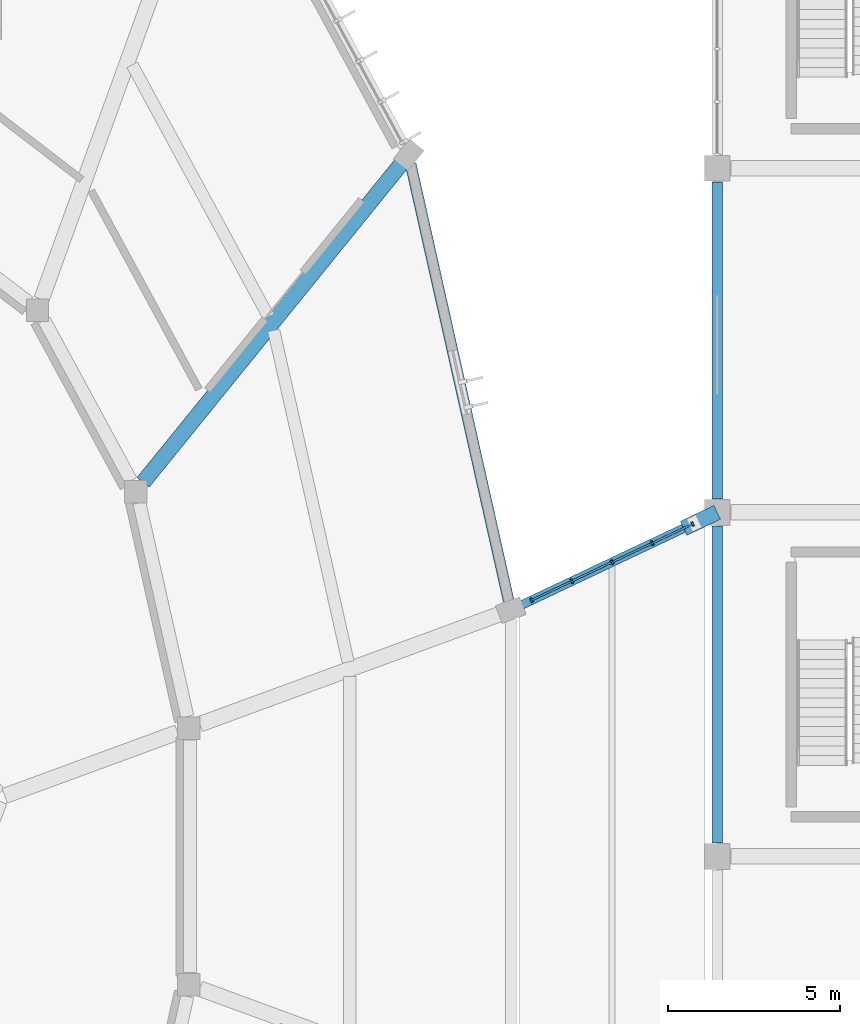
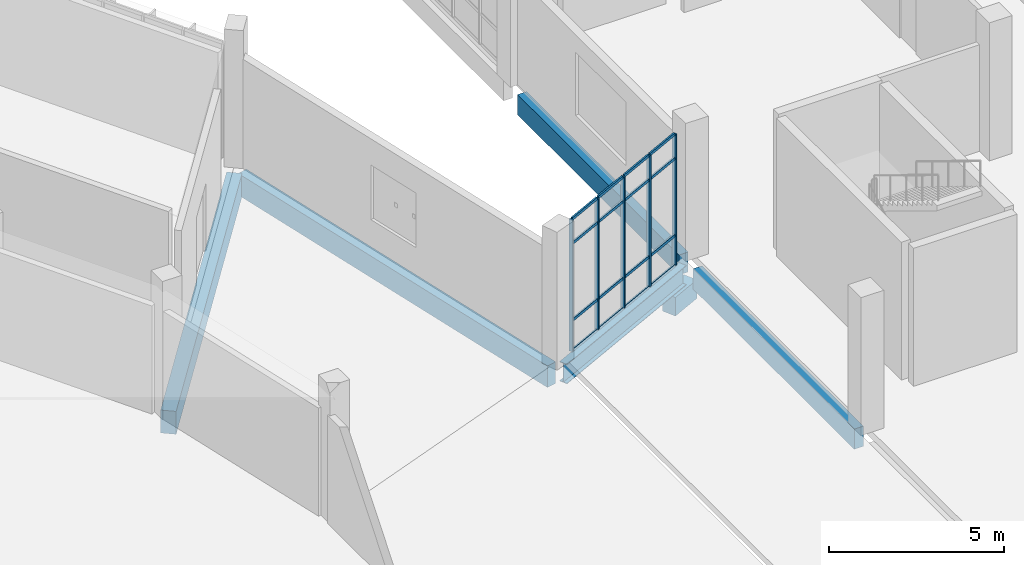
# One storey, part 71 of 179: 21 members, 6 beams, 1 element without a shape of its own.
"""IFC4 building model written with IfcOpenShell, lengths in metres."""

from ifc_helpers import new_model, si_unit, direction, frame, origin, origin_2d, place, context, subcontext, project, spatial, rectangle, i_section, extrude, material, layer, layer_set, material_profile, profile_set, type_object, element, aggregate, save


model = new_model("IFC4")

# Units and contexts
model_context = context("Model", 3, precision=1e-05, world=origin(), true_north=direction((0.0, 1.0)))
body_context = subcontext(model_context, "Body", "Model", "MODEL_VIEW")
ifc_project = project(units=[si_unit("LENGTHUNIT", "METRE"), si_unit("AREAUNIT", "SQUARE_METRE"), si_unit("VOLUMEUNIT", "CUBIC_METRE"), si_unit("PLANEANGLEUNIT", "RADIAN"), si_unit("MASSUNIT", "GRAM", prefix="KILO")], contexts=[model_context])

# Site, building, storey
site_placement = place(None, origin())
site = spatial("IfcSite", under=ifc_project, at=site_placement, CompositionType="ELEMENT")
building_placement = place(site_placement, origin())
building = spatial("IfcBuilding", under=site, at=building_placement, Name="Corvandel Quay Wholesale Market", CompositionType="ELEMENT")
storey_placement = place(building_placement, frame((0.0, 0.0, 6.0)))
storey = spatial("IfcBuildingStorey", under=building, at=storey_placement, Name="L01", CompositionType="ELEMENT", Elevation=6.0)

# Beams
ifc_material_1 = material(Name="Precast concrete C45/55", Category="concrete")
ifc_material_profile_1 = material_profile(ifc_material_1, rectangle(XDim=0.449951171875, YDim=0.800048828125, at=origin_2d()), Name="PC-GIR-450x800")
ifc_profile_set_1 = profile_set([ifc_material_profile_1], Name="Precast concrete C45/55")
beam_type_1 = type_object("IfcBeamType", Name="Auction Pavilion Girder G05 450x800", PredefinedType="USERDEFINED", material=ifc_profile_set_1)
beam_1_placement = place(storey_placement, frame((210.861083984375, 80.182373046875, -0.639892578125), z_axis=(-0.629749475171, -0.776798299768, 0.0), x_axis=(0.776798299768, -0.629749475171, 0.0)))
element("IfcBeam", 1, at=beam_1_placement, inside=storey, type_object=beam_type_1, Name="Beam BM-0782", ObjectType="GIRDER", PredefinedType="USERDEFINED", context=body_context, shape_type="SweptSolid", body=[
    extrude(rectangle(XDim=0.449951171875, YDim=0.800048828125, at=origin_2d()), origin(), (0.0, 0.0, 1.0), 11.985595703125),
])
ifc_material_2 = material(Name="Steel A992 Grade 50", Category="steel")
ifc_material_profile_2 = material_profile(ifc_material_2, i_section(OverallWidth=0.25390625, OverallDepth=0.68310546875, WebThickness=0.012451171875, FlangeThickness=0.018798828125, at=origin_2d()), Name="W27X94")
ifc_profile_set_2 = profile_set([ifc_material_profile_2], Name="Steel A992 Grade 50")
beam_type_2 = type_object("IfcBeamType", Name="Bridge Link Steel Girder SG01 W27X94", PredefinedType="USERDEFINED", material=ifc_profile_set_2)
beam_2_placement = place(storey_placement, frame((214.239501953125, 67.2744140625, -0.5615234375), z_axis=(0.903920558036, 0.427700391349, 0.0), x_axis=(-0.427700391349, 0.903920558036, 0.0)))
element("IfcBeam", 2, at=beam_2_placement, inside=storey, type_object=beam_type_2, Name="Beam BM-1809", ObjectType="GIRDER", PredefinedType="USERDEFINED", context=body_context, shape_type="SweptSolid", body=[
    extrude(i_section(OverallWidth=0.25390625, OverallDepth=0.68310546875, WebThickness=0.012451171875, FlangeThickness=0.018798828125, at=origin_2d()), origin(), (0.0, 0.0, 1.0), 5.982666015625),
])

# Curtain wall, members
ifc_material_3 = material(Name="Bronze anodised aluminium and low-E insulated glazing", Category="aluminium")
ifc_layer = layer(ifc_material_3, 0.197998046875)
ifc_layer_set = layer_set([ifc_layer], Name="Bronze anodised aluminium and low-E insulated glazing")
curtain_wall_type = type_object("IfcCurtainWallType", Name="Stick Curtain Wall System CW24 H5160", PredefinedType="NOTDEFINED", material=ifc_layer_set)
curtain_wall_placement = place(storey_placement, origin())
curtain_wall = element("IfcCurtainWall", 3, at=curtain_wall_placement, inside=storey, type_object=curtain_wall_type, Name="Curtain Wall CW-0181", PredefinedType="NOTDEFINED")
ifc_material_4 = material(Name="Anodised aluminium 6063-T6", Category="aluminium")
ifc_material_profile_3 = material_profile(ifc_material_4, rectangle(XDim=0.06005859375, YDim=0.1298828125, at=origin_2d()), Name="ALU-MUL-60x130")
ifc_profile_set_3 = profile_set([ifc_material_profile_3], Name="Anodised aluminium 6063-T6")
member_type_1 = type_object("IfcMemberType", Name="Clerestory Mullion ML03 60x130", PredefinedType="MULLION", material=ifc_profile_set_3)
member_1_placement = place(storey_placement, frame((214.60107421875, 67.4453125, -0.030029296875), z_axis=(0.0, 0.0, 1.0), x_axis=(0.903933318548, 0.427673421689, 0.0)))
member_1 = element("IfcMember", 4, at=member_1_placement, type_object=member_type_1, Name="Mullion CW-0181-M00", PredefinedType="MULLION", context=body_context, shape_type="SweptSolid", body=[
    extrude(rectangle(XDim=0.06005859375, YDim=0.1298828125, at=origin_2d()), origin(), (0.0, 0.0, 1.0), 4.580078125),
])
member_2_placement = place(storey_placement, frame((215.772216796875, 67.99951171875, -0.030029296875), z_axis=(0.0, 0.0, 1.0), x_axis=(0.903933318548, 0.427673421689, 0.0)))
member_2 = element("IfcMember", 5, at=member_2_placement, type_object=member_type_1, Name="Mullion CW-0181-M01", PredefinedType="MULLION", context=body_context, shape_type="SweptSolid", body=[
    extrude(rectangle(XDim=0.06005859375, YDim=0.1298828125, at=origin_2d()), origin(), (0.0, 0.0, 1.0), 4.580078125),
])
member_3_placement = place(storey_placement, frame((216.943603515625, 68.5537109375, -0.030029296875), z_axis=(0.0, 0.0, 1.0), x_axis=(0.903933318548, 0.427673421689, 0.0)))
member_3 = element("IfcMember", 6, at=member_3_placement, type_object=member_type_1, Name="Mullion CW-0181-M02", PredefinedType="MULLION", context=body_context, shape_type="SweptSolid", body=[
    extrude(rectangle(XDim=0.06005859375, YDim=0.1298828125, at=origin_2d()), origin(), (0.0, 0.0, 1.0), 4.580078125),
])
member_4_placement = place(storey_placement, frame((218.11474609375, 69.10791015625, -0.030029296875), z_axis=(0.0, 0.0, 1.0), x_axis=(0.903933318548, 0.427673421689, 0.0)))
member_4 = element("IfcMember", 7, at=member_4_placement, type_object=member_type_1, Name="Mullion CW-0181-M03", PredefinedType="MULLION", context=body_context, shape_type="SweptSolid", body=[
    extrude(rectangle(XDim=0.06005859375, YDim=0.1298828125, at=origin_2d()), origin(), (0.0, 0.0, 1.0), 4.580078125),
])
member_5_placement = place(storey_placement, frame((219.285888671875, 69.662109375, -0.030029296875), z_axis=(0.0, 0.0, 1.0), x_axis=(0.903933318548, 0.427673421689, 0.0)))
member_5 = element("IfcMember", 8, at=member_5_placement, type_object=member_type_1, Name="Mullion CW-0181-M04", PredefinedType="MULLION", context=body_context, shape_type="SweptSolid", body=[
    extrude(rectangle(XDim=0.06005859375, YDim=0.1298828125, at=origin_2d()), origin(), (0.0, 0.0, 1.0), 4.580078125),
])
ifc_material_profile_4 = material_profile(ifc_material_4, rectangle(XDim=0.054931640625, YDim=0.094970703125, at=origin_2d()), Name="ALU-TRN-55x95")
ifc_profile_set_4 = profile_set([ifc_material_profile_4], Name="Anodised aluminium 6063-T6")
member_type_2 = type_object("IfcMemberType", Name="Clerestory Transom TR03 55x95", PredefinedType="USERDEFINED", material=ifc_profile_set_4)
member_6_placement = place(storey_placement, frame((214.628173828125, 67.458251953125, -0.030029296875), z_axis=(0.903898694623, 0.427746595379, 0.0), x_axis=(-0.427746595379, 0.903898694623, 0.0)))
member_6 = element("IfcMember", 9, at=member_6_placement, type_object=member_type_2, Name="Transom CW-0181-T00-0", ObjectType="TRANSOM", PredefinedType="USERDEFINED", context=body_context, shape_type="SweptSolid", body=[
    extrude(rectangle(XDim=0.054931640625, YDim=0.094970703125, at=origin_2d()), origin(), (0.0, 0.0, 1.0), 1.235595703125),
])
member_7_placement = place(storey_placement, frame((214.628173828125, 67.458251953125, 1.02001953125), z_axis=(0.903898694623, 0.427746595379, 0.0), x_axis=(-0.427746595379, 0.903898694623, 0.0)))
member_7 = element("IfcMember", 10, at=member_7_placement, type_object=member_type_2, Name="Transom CW-0181-T00-1", ObjectType="TRANSOM", PredefinedType="USERDEFINED", context=body_context, shape_type="SweptSolid", body=[
    extrude(rectangle(XDim=0.054931640625, YDim=0.094970703125, at=origin_2d()), origin(), (0.0, 0.0, 1.0), 1.235595703125),
])
member_8_placement = place(storey_placement, frame((214.628173828125, 67.458251953125, 3.699951171875), z_axis=(0.903898694623, 0.427746595379, 0.0), x_axis=(-0.427746595379, 0.903898694623, 0.0)))
member_8 = element("IfcMember", 11, at=member_8_placement, type_object=member_type_2, Name="Transom CW-0181-T00-2", ObjectType="TRANSOM", PredefinedType="USERDEFINED", context=body_context, shape_type="SweptSolid", body=[
    extrude(rectangle(XDim=0.054931640625, YDim=0.094970703125, at=origin_2d()), origin(), (0.0, 0.0, 1.0), 1.235595703125),
])
member_9_placement = place(storey_placement, frame((214.628173828125, 67.458251953125, 4.550048828125), z_axis=(0.903898694623, 0.427746595379, 0.0), x_axis=(-0.427746595379, 0.903898694623, 0.0)))
member_9 = element("IfcMember", 12, at=member_9_placement, type_object=member_type_2, Name="Transom CW-0181-T00-3", ObjectType="TRANSOM", PredefinedType="USERDEFINED", context=body_context, shape_type="SweptSolid", body=[
    extrude(rectangle(XDim=0.054931640625, YDim=0.094970703125, at=origin_2d()), origin(), (0.0, 0.0, 1.0), 1.235595703125),
])
member_10_placement = place(storey_placement, frame((215.79931640625, 68.012451171875, -0.030029296875), z_axis=(0.903934834399, 0.427670217761, 0.0), x_axis=(-0.427670217761, 0.903934834399, 0.0)))
member_10 = element("IfcMember", 13, at=member_10_placement, type_object=member_type_2, Name="Transom CW-0181-T01-0", ObjectType="TRANSOM", PredefinedType="USERDEFINED", context=body_context, shape_type="SweptSolid", body=[
    extrude(rectangle(XDim=0.054931640625, YDim=0.094970703125, at=origin_2d()), origin(), (0.0, 0.0, 1.0), 1.23583984375),
])
member_11_placement = place(storey_placement, frame((215.79931640625, 68.012451171875, 1.02001953125), z_axis=(0.903934834399, 0.427670217761, 0.0), x_axis=(-0.427670217761, 0.903934834399, 0.0)))
member_11 = element("IfcMember", 14, at=member_11_placement, type_object=member_type_2, Name="Transom CW-0181-T01-1", ObjectType="TRANSOM", PredefinedType="USERDEFINED", context=body_context, shape_type="SweptSolid", body=[
    extrude(rectangle(XDim=0.054931640625, YDim=0.094970703125, at=origin_2d()), origin(), (0.0, 0.0, 1.0), 1.23583984375),
])
member_12_placement = place(storey_placement, frame((215.79931640625, 68.012451171875, 3.699951171875), z_axis=(0.903934834399, 0.427670217761, 0.0), x_axis=(-0.427670217761, 0.903934834399, 0.0)))
member_12 = element("IfcMember", 15, at=member_12_placement, type_object=member_type_2, Name="Transom CW-0181-T01-2", ObjectType="TRANSOM", PredefinedType="USERDEFINED", context=body_context, shape_type="SweptSolid", body=[
    extrude(rectangle(XDim=0.054931640625, YDim=0.094970703125, at=origin_2d()), origin(), (0.0, 0.0, 1.0), 1.23583984375),
])
member_13_placement = place(storey_placement, frame((215.79931640625, 68.012451171875, 4.550048828125), z_axis=(0.903934834399, 0.427670217761, 0.0), x_axis=(-0.427670217761, 0.903934834399, 0.0)))
member_13 = element("IfcMember", 16, at=member_13_placement, type_object=member_type_2, Name="Transom CW-0181-T01-3", ObjectType="TRANSOM", PredefinedType="USERDEFINED", context=body_context, shape_type="SweptSolid", body=[
    extrude(rectangle(XDim=0.054931640625, YDim=0.094970703125, at=origin_2d()), origin(), (0.0, 0.0, 1.0), 1.23583984375),
])
member_14_placement = place(storey_placement, frame((216.970703125, 68.566650390625, -0.030029296875), z_axis=(0.903898694623, 0.427746595379, 0.0), x_axis=(-0.427746595379, 0.903898694623, 0.0)))
member_14 = element("IfcMember", 17, at=member_14_placement, type_object=member_type_2, Name="Transom CW-0181-T02-0", ObjectType="TRANSOM", PredefinedType="USERDEFINED", context=body_context, shape_type="SweptSolid", body=[
    extrude(rectangle(XDim=0.054931640625, YDim=0.094970703125, at=origin_2d()), origin(), (0.0, 0.0, 1.0), 1.235595703125),
])
member_15_placement = place(storey_placement, frame((216.970703125, 68.566650390625, 1.02001953125), z_axis=(0.903898694623, 0.427746595379, 0.0), x_axis=(-0.427746595379, 0.903898694623, 0.0)))
member_15 = element("IfcMember", 18, at=member_15_placement, type_object=member_type_2, Name="Transom CW-0181-T02-1", ObjectType="TRANSOM", PredefinedType="USERDEFINED", context=body_context, shape_type="SweptSolid", body=[
    extrude(rectangle(XDim=0.054931640625, YDim=0.094970703125, at=origin_2d()), origin(), (0.0, 0.0, 1.0), 1.235595703125),
])
member_16_placement = place(storey_placement, frame((216.970703125, 68.566650390625, 3.699951171875), z_axis=(0.903898694623, 0.427746595379, 0.0), x_axis=(-0.427746595379, 0.903898694623, 0.0)))
member_16 = element("IfcMember", 19, at=member_16_placement, type_object=member_type_2, Name="Transom CW-0181-T02-2", ObjectType="TRANSOM", PredefinedType="USERDEFINED", context=body_context, shape_type="SweptSolid", body=[
    extrude(rectangle(XDim=0.054931640625, YDim=0.094970703125, at=origin_2d()), origin(), (0.0, 0.0, 1.0), 1.235595703125),
])
member_17_placement = place(storey_placement, frame((216.970703125, 68.566650390625, 4.550048828125), z_axis=(0.903898694623, 0.427746595379, 0.0), x_axis=(-0.427746595379, 0.903898694623, 0.0)))
member_17 = element("IfcMember", 20, at=member_17_placement, type_object=member_type_2, Name="Transom CW-0181-T02-3", ObjectType="TRANSOM", PredefinedType="USERDEFINED", context=body_context, shape_type="SweptSolid", body=[
    extrude(rectangle(XDim=0.054931640625, YDim=0.094970703125, at=origin_2d()), origin(), (0.0, 0.0, 1.0), 1.235595703125),
])
member_18_placement = place(storey_placement, frame((218.141845703125, 69.120849609375, -0.030029296875), z_axis=(0.903898694623, 0.427746595379, 0.0), x_axis=(-0.427746595379, 0.903898694623, 0.0)))
member_18 = element("IfcMember", 21, at=member_18_placement, type_object=member_type_2, Name="Transom CW-0181-T03-0", ObjectType="TRANSOM", PredefinedType="USERDEFINED", context=body_context, shape_type="SweptSolid", body=[
    extrude(rectangle(XDim=0.054931640625, YDim=0.094970703125, at=origin_2d()), origin(), (0.0, 0.0, 1.0), 1.235595703125),
])
member_19_placement = place(storey_placement, frame((218.141845703125, 69.120849609375, 1.02001953125), z_axis=(0.903898694623, 0.427746595379, 0.0), x_axis=(-0.427746595379, 0.903898694623, 0.0)))
member_19 = element("IfcMember", 22, at=member_19_placement, type_object=member_type_2, Name="Transom CW-0181-T03-1", ObjectType="TRANSOM", PredefinedType="USERDEFINED", context=body_context, shape_type="SweptSolid", body=[
    extrude(rectangle(XDim=0.054931640625, YDim=0.094970703125, at=origin_2d()), origin(), (0.0, 0.0, 1.0), 1.235595703125),
])
member_20_placement = place(storey_placement, frame((218.141845703125, 69.120849609375, 3.699951171875), z_axis=(0.903898694623, 0.427746595379, 0.0), x_axis=(-0.427746595379, 0.903898694623, 0.0)))
member_20 = element("IfcMember", 23, at=member_20_placement, type_object=member_type_2, Name="Transom CW-0181-T03-2", ObjectType="TRANSOM", PredefinedType="USERDEFINED", context=body_context, shape_type="SweptSolid", body=[
    extrude(rectangle(XDim=0.054931640625, YDim=0.094970703125, at=origin_2d()), origin(), (0.0, 0.0, 1.0), 1.235595703125),
])
member_21_placement = place(storey_placement, frame((218.141845703125, 69.120849609375, 4.550048828125), z_axis=(0.903898694623, 0.427746595379, 0.0), x_axis=(-0.427746595379, 0.903898694623, 0.0)))
member_21 = element("IfcMember", 24, at=member_21_placement, type_object=member_type_2, Name="Transom CW-0181-T03-3", ObjectType="TRANSOM", PredefinedType="USERDEFINED", context=body_context, shape_type="SweptSolid", body=[
    extrude(rectangle(XDim=0.054931640625, YDim=0.094970703125, at=origin_2d()), origin(), (0.0, 0.0, 1.0), 1.235595703125),
])
aggregate(curtain_wall, [member_1, member_2, member_3, member_4, member_5, member_6, member_7, member_8, member_9, member_10, member_11, member_12, member_13, member_14, member_15, member_16, member_17, member_18, member_19, member_20, member_21])

# Beams
ifc_material_profile_5 = material_profile(ifc_material_1, rectangle(XDim=0.320068359375, YDim=0.75, at=origin_2d()), Name="PC-SPN-320x750")
ifc_profile_set_5 = profile_set([ifc_material_profile_5], Name="Precast concrete C45/55")
beam_type_3 = type_object("IfcBeamType", Name="Pavilion Precast Spandrel SP02 320x750", PredefinedType="SPANDREL", material=ifc_profile_set_5)
beam_3_placement = place(storey_placement, frame((213.94091796875, 67.42431640625, -0.614990234375), z_axis=(-0.218953092988, 0.975735385784, 0.0), x_axis=(-0.975735385784, -0.218953092988, 0.0)))
element("IfcBeam", 25, at=beam_3_placement, inside=storey, type_object=beam_type_3, Name="Beam BM-0769", PredefinedType="SPANDREL", context=body_context, shape_type="SweptSolid", body=[
    extrude(rectangle(XDim=0.320068359375, YDim=0.75, at=origin_2d()), origin(), (0.0, 0.0, 1.0), 13.020263671875),
])
ifc_material_profile_6 = material_profile(ifc_material_1, rectangle(XDim=0.449951171875, YDim=0.64990234375, at=origin_2d()), Name="PC-COR-680x650")
ifc_profile_set_6 = profile_set([ifc_material_profile_6], Name="Precast concrete C45/55")
beam_type_4 = type_object("IfcBeamType", Name="Seismic Joint Precast Corbel CB01 680x650", PredefinedType="BEAM", material=ifc_profile_set_6)
beam_4_placement = place(storey_placement, frame((220.0, 70.0, -1.22802734375), z_axis=(-0.903935655533, -0.427668482188, 0.0), x_axis=(0.427668482188, -0.903935655533, 0.0)))
element("IfcBeam", 26, at=beam_4_placement, inside=storey, type_object=beam_type_4, Name="Beam BM-1808", PredefinedType="BEAM", context=body_context, shape_type="SweptSolid", body=[
    extrude(rectangle(XDim=0.449951171875, YDim=0.64990234375, at=origin_2d()), origin(), (0.0, 0.0, 1.0), 1.080078125),
])
ifc_material_profile_7 = material_profile(ifc_material_1, rectangle(XDim=0.300048828125, YDim=0.699951171875, at=origin_2d()), Name="PC-SPN-300x700")
ifc_profile_set_7 = profile_set([ifc_material_profile_7], Name="Precast concrete C45/55")
beam_type_5 = type_object("IfcBeamType", Name="Terrace Edge Spandrel SP03 300x700", PredefinedType="SPANDREL", material=ifc_profile_set_7)
for number, where, z_axis, x_axis, name in (
    (27, (220.0, 60.39501953125, -0.669921875), (0.0, 1.0, 0.0), (-1.0, 0.0, 0.0), "Beam BM-1444"),
    (28, (220.0, 70.39501953125, -0.669921875), (0.0, 1.0, 0.0), (-1.0, 0.0, 0.0), "Beam BM-1445"),
):
    element("IfcBeam", number, at=place(storey_placement, frame(where, z_axis=z_axis, x_axis=x_axis)), inside=storey, type_object=beam_type_5, Name=name, PredefinedType="SPANDREL", context=body_context, shape_type="SweptSolid", body=[
        extrude(rectangle(XDim=0.300048828125, YDim=0.699951171875, at=origin_2d()), origin(), (0.0, 0.0, 1.0), 9.2099609375),
    ])

save(model, "model.ifc")
